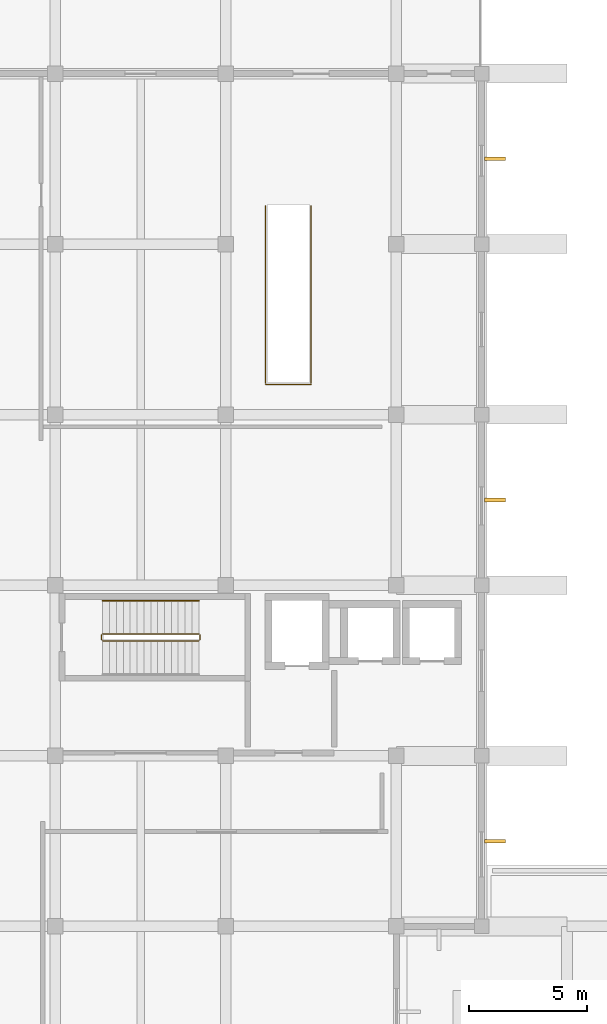
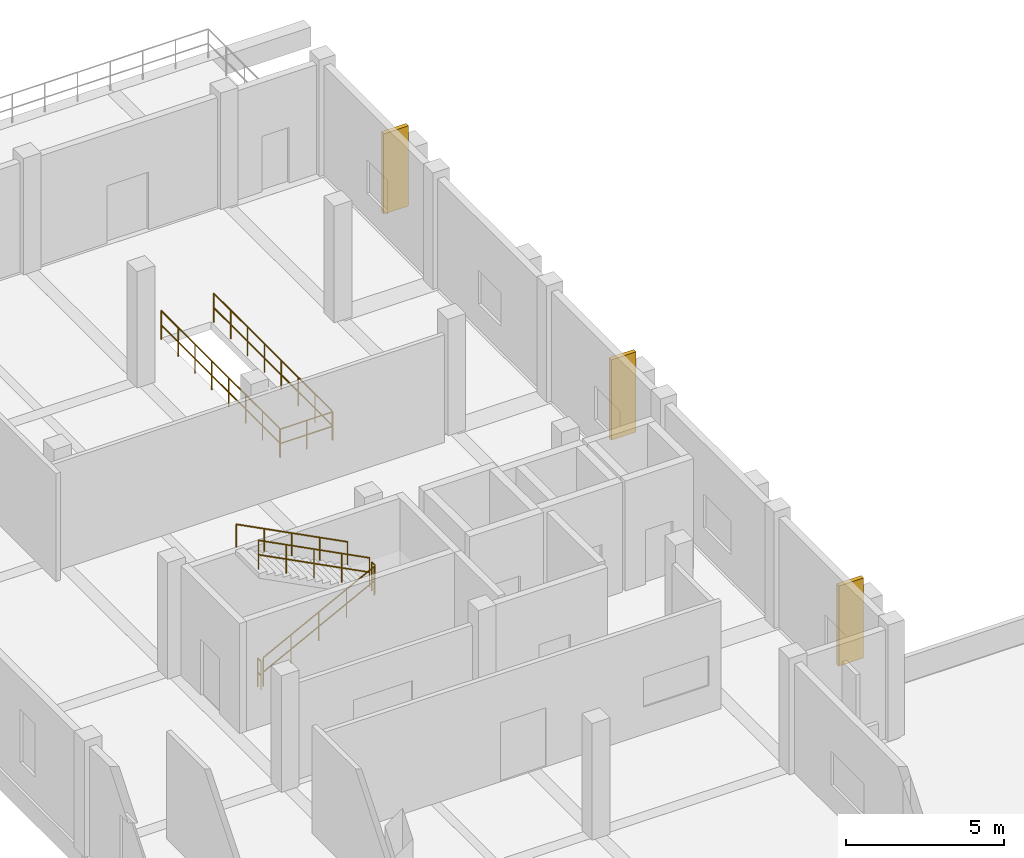
# One storey, part 15 of 16: 8 railings, 3 shading devices.
"""IFC4 building model written with IfcOpenShell, lengths in metres."""

from ifc_helpers import new_model, si_unit, direction, frame, origin, origin_2d, place, context, subcontext, project, spatial, rectangle, circle, extrude, material, type_object, element, save


model = new_model("IFC4")

# Units and contexts
model_context = context("Model", 3, precision=1e-05, world=origin(), true_north=direction((0.0, 1.0)))
body_context = subcontext(model_context, "Body", "Model", "MODEL_VIEW")
ifc_project = project(units=[si_unit("LENGTHUNIT", "METRE"), si_unit("AREAUNIT", "SQUARE_METRE"), si_unit("VOLUMEUNIT", "CUBIC_METRE"), si_unit("PLANEANGLEUNIT", "RADIAN"), si_unit("MASSUNIT", "GRAM", prefix="KILO")], contexts=[model_context])

# Site, building, storey
site_placement = place(None, origin())
site = spatial("IfcSite", under=ifc_project, at=site_placement, CompositionType="ELEMENT")
building_placement = place(site_placement, origin())
building = spatial("IfcBuilding", under=site, at=building_placement, Name="Seraya Terrace Polytechnic", CompositionType="ELEMENT")
storey_placement = place(building_placement, frame((0.0, 0.0, 23.39990234375)))
storey = spatial("IfcBuildingStorey", under=building, at=storey_placement, Name="L05", CompositionType="ELEMENT", Elevation=23.39990234375)

# Shading devices
ifc_material_1 = material(Name="Precast concrete C40/50", Category="concrete")
shading_device_type = type_object("IfcShadingDeviceType", Name="BS-F1", PredefinedType="JALOUSIE", material=ifc_material_1)
for number, where, z_axis, x_axis, name in (
    (1, (104.9599609375, 61.199951171875, 0.449951171875), (0.0, 0.0, 1.0), (1.0, 0.0, 0.0), "Precast concrete brise-soleil fin L05"),
    (2, (104.9599609375, 46.800048828125, 0.449951171875), (0.0, 0.0, 1.0), (1.0, 0.0, 0.0), "Precast concrete brise-soleil fin L05"),
    (3, (104.9599609375, 32.39990234375, 0.449951171875), (0.0, 0.0, 1.0), (1.0, 0.0, 0.0), "Precast concrete brise-soleil fin L05"),
):
    element("IfcShadingDevice", number, at=place(storey_placement, frame(where, z_axis=z_axis, x_axis=x_axis)), inside=storey, type_object=shading_device_type, Name=name, PredefinedType="JALOUSIE", context=body_context, shape_type="SweptSolid", body=[
        extrude(rectangle(XDim=0.89990234375, YDim=0.14990234375, at=origin_2d()), origin(), (0.0, 0.0, 1.0), 3.10009765625),
    ])

# Railings
ifc_material_2 = material(Name="Steel S355J2", Category="steel")
railing_type_1 = type_object("IfcRailingType", Name="GR-02", PredefinedType="GUARDRAIL", material=ifc_material_2)
railing_1_placement = place(storey_placement, frame((88.39990234375, 40.85009765625, 0.150146484375)))
element("IfcRailing", 4, at=railing_1_placement, inside=storey, type_object=railing_type_1, Name="L05 ST-02 stair guard 1", PredefinedType="GUARDRAIL", context=body_context, shape_type="SweptSolid", body=[
    extrude(circle(Radius=0.02392578125, at=origin_2d()), frame((0.0, 0.0, 1.10595703125), z_axis=(0.888233425583, 0.0, 0.459392404897), x_axis=(0.0, 1.0, 0.0)), (0.0, 0.0, 1.0), 4.571044921875),
    extrude(circle(Radius=0.02392578125, at=origin_2d()), frame((0.0, 0.0, 0.550048828125), z_axis=(0.888233425583, 0.0, 0.459392404897), x_axis=(0.0, 1.0, 0.0)), (0.0, 0.0, 1.0), 4.571044921875),
    extrude(circle(Radius=0.02099609375, at=origin_2d()), origin(), (0.0, 0.0, 1.0), 1.081787109375),
    extrude(circle(Radius=0.02099609375, at=origin_2d()), frame((1.01513671875, 0.0, 0.52490234375)), (0.0, 0.0, 1.0), 1.081787109375),
    extrude(circle(Radius=0.02099609375, at=origin_2d()), frame((2.030029296875, 0.0, 1.0498046875)), (0.0, 0.0, 1.0), 1.081787109375),
    extrude(circle(Radius=0.02099609375, at=origin_2d()), frame((3.044921875, 0.0, 1.574951171875)), (0.0, 0.0, 1.0), 1.081787109375),
    extrude(circle(Radius=0.02099609375, at=origin_2d()), frame((4.06005859375, 0.0, 2.099853515625)), (0.0, 0.0, 1.0), 1.081787109375),
])
railing_2_placement = place(storey_placement, frame((92.510009765625, 40.89990234375, 2.25)))
element("IfcRailing", 5, at=railing_2_placement, inside=storey, type_object=railing_type_1, Name="L05 ST-02 stair guard 2", PredefinedType="GUARDRAIL", context=body_context, shape_type="SweptSolid", body=[
    extrude(circle(Radius=0.02392578125, at=origin_2d()), frame((0.0, 0.0, 1.10595703125), z_axis=(0.0, 1.0, 0.0), x_axis=(-1.0, 0.0, 0.0)), (0.0, 0.0, 1.0), 0.2001953125),
    extrude(circle(Radius=0.02392578125, at=origin_2d()), frame((0.0, 0.0, 0.550048828125), z_axis=(0.0, 1.0, 0.0), x_axis=(-1.0, 0.0, 0.0)), (0.0, 0.0, 1.0), 0.2001953125),
    extrude(circle(Radius=0.02099609375, at=origin_2d()), origin(), (0.0, 0.0, 1.0), 1.081787109375),
    extrude(circle(Radius=0.02099609375, at=origin_2d()), frame((0.0, 0.2001953125, 0.0)), (0.0, 0.0, 1.0), 1.081787109375),
])
railing_3_placement = place(storey_placement, frame((92.4599609375, 41.14990234375, 2.400146484375)))
element("IfcRailing", 6, at=railing_3_placement, inside=storey, type_object=railing_type_1, Name="L05 ST-02 stair guard 3", PredefinedType="GUARDRAIL", context=body_context, shape_type="SweptSolid", body=[
    extrude(circle(Radius=0.02392578125, at=origin_2d()), frame((0.0, 0.0, 1.10595703125), z_axis=(-0.888233425583, 0.0, 0.459392404897), x_axis=(0.0, -1.0, 0.0)), (0.0, 0.0, 1.0), 4.571044921875),
    extrude(circle(Radius=0.02392578125, at=origin_2d()), frame((0.0, 0.0, 0.550048828125), z_axis=(-0.888233425583, 0.0, 0.459392404897), x_axis=(0.0, -1.0, 0.0)), (0.0, 0.0, 1.0), 4.571044921875),
    extrude(circle(Radius=0.02099609375, at=origin_2d()), origin(), (0.0, 0.0, 1.0), 1.081787109375),
    extrude(circle(Radius=0.02099609375, at=origin_2d()), frame((-1.01513671875, 0.0, 0.52490234375)), (0.0, 0.0, 1.0), 1.081787109375),
    extrude(circle(Radius=0.02099609375, at=origin_2d()), frame((-2.030029296875, 0.0, 1.0498046875)), (0.0, 0.0, 1.0), 1.081787109375),
    extrude(circle(Radius=0.02099609375, at=origin_2d()), frame((-3.044921875, 0.0, 1.574951171875)), (0.0, 0.0, 1.0), 1.081787109375),
    extrude(circle(Radius=0.02099609375, at=origin_2d()), frame((-4.06005859375, 0.0, 2.099853515625)), (0.0, 0.0, 1.0), 1.081787109375),
])
railing_4_placement = place(storey_placement, frame((88.35009765625, 40.89990234375, 0.0)))
element("IfcRailing", 7, at=railing_4_placement, inside=storey, type_object=railing_type_1, Name="L05 ST-02 stair guard 4", PredefinedType="GUARDRAIL", context=body_context, shape_type="SweptSolid", body=[
    extrude(circle(Radius=0.02392578125, at=origin_2d()), frame((0.0, 0.0, 1.10595703125), z_axis=(0.0, 1.0, 0.0), x_axis=(-1.0, 0.0, 0.0)), (0.0, 0.0, 1.0), 0.2001953125),
    extrude(circle(Radius=0.02392578125, at=origin_2d()), frame((0.0, 0.0, 0.550048828125), z_axis=(0.0, 1.0, 0.0), x_axis=(-1.0, 0.0, 0.0)), (0.0, 0.0, 1.0), 0.2001953125),
    extrude(circle(Radius=0.02099609375, at=origin_2d()), origin(), (0.0, 0.0, 1.0), 1.081787109375),
    extrude(circle(Radius=0.02099609375, at=origin_2d()), frame((0.0, 0.2001953125, 0.0)), (0.0, 0.0, 1.0), 1.081787109375),
])
railing_5_placement = place(storey_placement, frame((95.280029296875, 51.679931640625, 0.0)))
element("IfcRailing", 8, at=railing_5_placement, inside=storey, type_object=railing_type_1, Name="ST-16 top opening guard L05.1", PredefinedType="GUARDRAIL", context=body_context, shape_type="SweptSolid", body=[
    extrude(circle(Radius=0.02392578125, at=origin_2d()), frame((0.0, 0.0, 1.10595703125), z_axis=(1.0, 0.0, 0.0), x_axis=(0.0, 1.0, 0.0)), (0.0, 0.0, 1.0), 1.919921875),
    extrude(circle(Radius=0.02392578125, at=origin_2d()), frame((0.0, 0.0, 0.550048828125), z_axis=(1.0, 0.0, 0.0), x_axis=(0.0, 1.0, 0.0)), (0.0, 0.0, 1.0), 1.919921875),
    extrude(circle(Radius=0.02099609375, at=origin_2d()), origin(), (0.0, 0.0, 1.0), 1.081787109375),
    extrude(circle(Radius=0.02099609375, at=origin_2d()), frame((0.9599609375, 0.0, 0.0)), (0.0, 0.0, 1.0), 1.081787109375),
    extrude(circle(Radius=0.02099609375, at=origin_2d()), frame((1.919921875, 0.0, 0.0)), (0.0, 0.0, 1.0), 1.081787109375),
])
for number, where, name in (
    (9, (95.280029296875, 51.739990234375, 0.0), "ST-16 top opening guard L05.2"),
    (10, (97.199951171875, 51.739990234375, 0.0), "ST-16 top opening guard L05.3"),
):
    element("IfcRailing", number, at=place(storey_placement, frame(where)), inside=storey, type_object=railing_type_1, Name=name, PredefinedType="GUARDRAIL", context=body_context, shape_type="SweptSolid", body=[
        extrude(circle(Radius=0.02392578125, at=origin_2d()), frame((0.0, 0.0, 1.10595703125), z_axis=(0.0, 1.0, 0.0), x_axis=(-1.0, 0.0, 0.0)), (0.0, 0.0, 1.0), 7.47998046875),
        extrude(circle(Radius=0.02392578125, at=origin_2d()), frame((0.0, 0.0, 0.550048828125), z_axis=(0.0, 1.0, 0.0), x_axis=(-1.0, 0.0, 0.0)), (0.0, 0.0, 1.0), 7.47998046875),
        extrude(circle(Radius=0.02099609375, at=origin_2d()), origin(), (0.0, 0.0, 1.0), 1.081787109375),
        extrude(circle(Radius=0.02099609375, at=origin_2d()), frame((0.0, 1.068603515625, 0.0)), (0.0, 0.0, 1.0), 1.081787109375),
        extrude(circle(Radius=0.02099609375, at=origin_2d()), frame((0.0, 2.13720703125, 0.0)), (0.0, 0.0, 1.0), 1.081787109375),
        extrude(circle(Radius=0.02099609375, at=origin_2d()), frame((0.0, 3.205810546875, 0.0)), (0.0, 0.0, 1.0), 1.081787109375),
        extrude(circle(Radius=0.02099609375, at=origin_2d()), frame((0.0, 4.274169921875, 0.0)), (0.0, 0.0, 1.0), 1.081787109375),
        extrude(circle(Radius=0.02099609375, at=origin_2d()), frame((0.0, 5.3427734375, 0.0)), (0.0, 0.0, 1.0), 1.081787109375),
        extrude(circle(Radius=0.02099609375, at=origin_2d()), frame((0.0, 6.411376953125, 0.0)), (0.0, 0.0, 1.0), 1.081787109375),
        extrude(circle(Radius=0.02099609375, at=origin_2d()), frame((0.0, 7.47998046875, 0.0)), (0.0, 0.0, 1.0), 1.081787109375),
    ])
railing_type_2 = type_object("IfcRailingType", Name="HR-01", PredefinedType="HANDRAIL", material=ifc_material_2)
railing_6_placement = place(storey_placement, frame((92.4599609375, 42.550048828125, 2.400146484375)))
element("IfcRailing", 11, at=railing_6_placement, inside=storey, type_object=railing_type_2, Name="L05 ST-02 stair handrail 2", PredefinedType="HANDRAIL", context=body_context, shape_type="SweptSolid", body=[
    extrude(circle(Radius=0.02392578125, at=origin_2d()), frame((0.0, 0.0, 0.8759765625), z_axis=(-0.888233425583, 0.0, 0.459392404897), x_axis=(0.0, -1.0, 0.0)), (0.0, 0.0, 1.0), 4.571044921875),
    extrude(circle(Radius=0.02099609375, at=origin_2d()), origin(), (0.0, 0.0, 1.0), 0.851806640625),
    extrude(circle(Radius=0.02099609375, at=origin_2d()), frame((-1.01513671875, 0.0, 0.52490234375)), (0.0, 0.0, 1.0), 0.851806640625),
    extrude(circle(Radius=0.02099609375, at=origin_2d()), frame((-2.030029296875, 0.0, 1.0498046875)), (0.0, 0.0, 1.0), 0.851806640625),
    extrude(circle(Radius=0.02099609375, at=origin_2d()), frame((-3.044921875, 0.0, 1.574951171875)), (0.0, 0.0, 1.0), 0.851806640625),
    extrude(circle(Radius=0.02099609375, at=origin_2d()), frame((-4.06005859375, 0.0, 2.099853515625)), (0.0, 0.0, 1.0), 0.851806640625),
])

save(model, "model.ifc")
